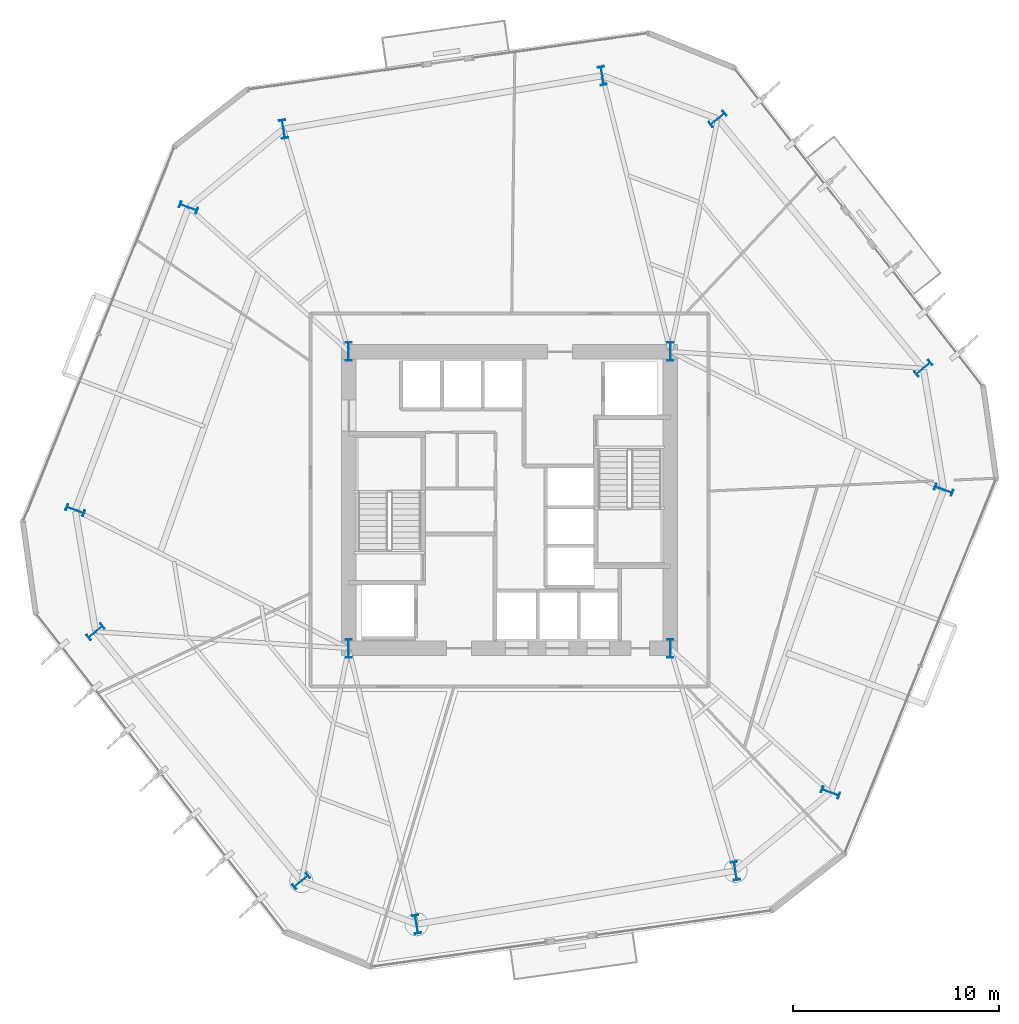
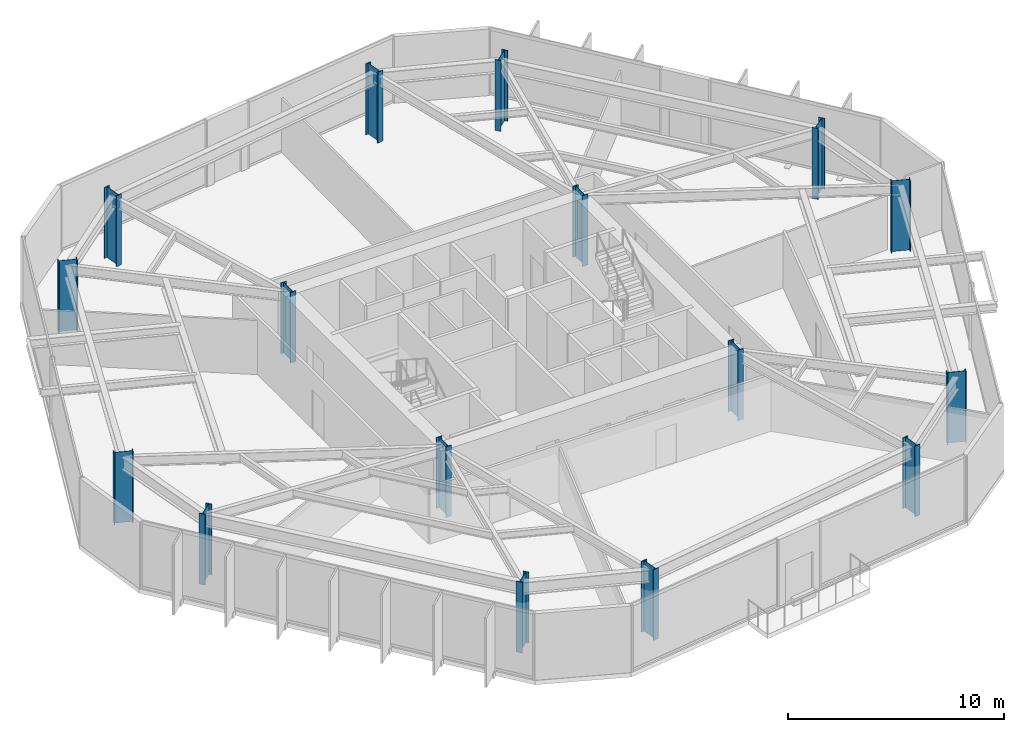
# One storey, part 1 of 10: 16 columns.
"""IFC4 building model written with IfcOpenShell, lengths in metres."""

from ifc_helpers import new_model, si_unit, direction, frame, origin, origin_2d, place, context, subcontext, project, spatial, i_section, extrude, material, material_profile, profile_set, type_object, element, save


model = new_model("IFC4")

# Units and contexts
model_context = context("Model", 3, precision=1e-05, world=origin(), true_north=direction((0.0, 1.0)))
body_context = subcontext(model_context, "Body", "Model", "MODEL_VIEW")
ifc_project = project(units=[si_unit("LENGTHUNIT", "METRE"), si_unit("AREAUNIT", "SQUARE_METRE"), si_unit("VOLUMEUNIT", "CUBIC_METRE"), si_unit("PLANEANGLEUNIT", "RADIAN"), si_unit("MASSUNIT", "GRAM", prefix="KILO")], contexts=[model_context])

# Site, building, storey
site_placement = place(None, origin())
site = spatial("IfcSite", under=ifc_project, at=site_placement, CompositionType="ELEMENT")
building_placement = place(site_placement, origin())
building = spatial("IfcBuilding", under=site, at=building_placement, Name="Kranzbogen Civic Tower", CompositionType="ELEMENT")
storey_placement = place(building_placement, frame((0.0, 0.0, 52.0)))
storey = spatial("IfcBuildingStorey", under=building, at=storey_placement, Name="L12", CompositionType="ELEMENT", Elevation=52.0)

# Columns
ifc_material = material(Name="Steel S460", Category="steel")
ifc_material_profile = material_profile(ifc_material, i_section(OverallWidth=0.302001953125, OverallDepth=0.909912109375, WebThickness=0.02099609375, FlangeThickness=0.0400390625, at=origin_2d()), Name="HEM 900")
ifc_profile_set = profile_set([ifc_material_profile], Name="Steel S460")
column_type = type_object("IfcColumnType", Name="Structural Column HEM 900", PredefinedType="COLUMN", material=ifc_profile_set)
for number, where, z_axis, x_axis, name in (
    (1, (17.199951171875, 17.800048828125, 0.0), (0.0, 0.0, 1.0), (1.0, 0.0, 0.0), "L12 composite core corner column 1"),
    (2, (32.800048828125, 17.800048828125, 0.0), (0.0, 0.0, 1.0), (1.0, 0.0, 0.0), "L12 composite core corner column 2"),
    (3, (32.800048828125, 32.199951171875, 0.0), (0.0, 0.0, 1.0), (1.0, 0.0, 0.0), "L12 composite core corner column 3"),
    (4, (17.199951171875, 32.199951171875, 0.0), (0.0, 0.0, 1.0), (1.0, 0.0, 0.0), "L12 composite core corner column 4"),
    (5, (45.072021484375, 31.385986328125, 0.0), (0.0, 0.0, 1.0), (-0.636078220278, 0.771624583388, 0.0), "L12 tower perimeter tube column 01"),
    (6, (35.09912109375, 43.48388671875, 0.0), (0.0, 0.0, 1.0), (-0.636078220278, 0.771624583388, 0.0), "L12 tower perimeter tube column 02"),
    (7, (29.5048828125, 45.575927734375, 0.0), (0.0, 0.0, 1.0), (0.986285601537, 0.165047605861, 0.0), "L12 tower perimeter tube column 03"),
    (8, (14.0419921875, 42.988037109375, 0.0), (0.0, 0.0, 1.0), (0.986285601537, 0.165047605861, 0.0), "L12 tower perimeter tube column 04"),
    (9, (9.43310546875, 39.18896484375, 0.0), (0.0, 0.0, 1.0), (0.350207381259, 0.936672189248, 0.0), "L12 tower perimeter tube column 05"),
    (10, (3.943115234375, 24.50390625, 0.0), (0.0, 0.0, 1.0), (0.350207381259, 0.936672189248, 0.0), "L12 tower perimeter tube column 06"),
    (11, (4.927978515625, 18.614013671875, 0.0), (0.0, 0.0, 1.0), (-0.636078220278, 0.771624583388, 0.0), "L12 tower perimeter tube column 07"),
    (12, (14.90087890625, 6.51611328125, 0.0), (0.0, 0.0, 1.0), (-0.636078220278, 0.771624583388, 0.0), "L12 tower perimeter tube column 08"),
    (13, (20.4951171875, 4.424072265625, 0.0), (0.0, 0.0, 1.0), (0.986285601537, 0.165047605861, 0.0), "L12 tower perimeter tube column 09"),
    (14, (35.9580078125, 7.011962890625, 0.0), (0.0, 0.0, 1.0), (0.986285601537, 0.165047605861, 0.0), "L12 tower perimeter tube column 10"),
    (15, (40.56689453125, 10.81103515625, 0.0), (0.0, 0.0, 1.0), (0.350207381259, 0.936672189248, 0.0), "L12 tower perimeter tube column 11"),
    (16, (46.056884765625, 25.49609375, 0.0), (0.0, 0.0, 1.0), (0.350207381259, 0.936672189248, 0.0), "L12 tower perimeter tube column 12"),
):
    element("IfcColumn", number, at=place(storey_placement, frame(where, z_axis=z_axis, x_axis=x_axis)), inside=storey, type_object=column_type, Name=name, PredefinedType="COLUMN", context=body_context, shape_type="SweptSolid", body=[
        extrude(i_section(OverallWidth=0.302001953125, OverallDepth=0.909912109375, WebThickness=0.02099609375, FlangeThickness=0.0400390625, at=origin_2d()), origin(), (0.0, 0.0, 1.0), 4.0),
    ])

save(model, "model.ifc")
